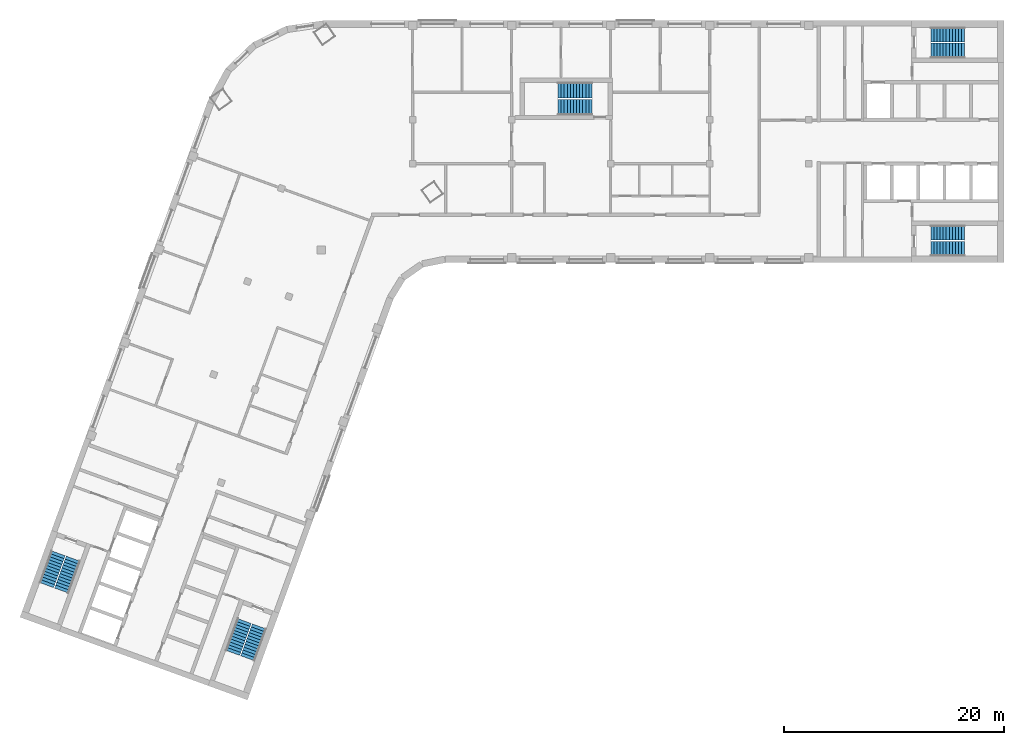
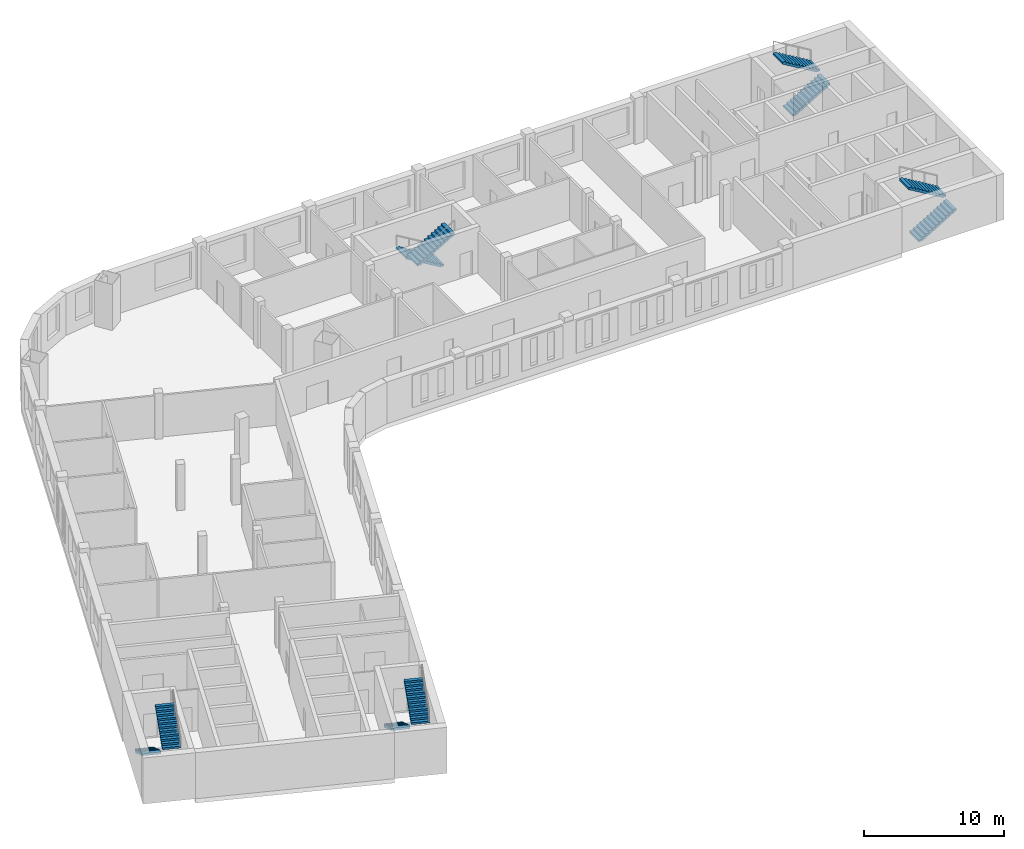
# One storey, part 7 of 8: 10 stair flights, 5 elements without a shape of their own.
"""IFC4 building model written with IfcOpenShell, lengths in metres."""

from ifc_helpers import new_model, si_unit, direction, frame, origin, place, context, subcontext, project, spatial, polyline, outline, extrude, material, type_object, element, aggregate, save


model = new_model("IFC4")

# Units and contexts
model_context = context("Model", 3, precision=1e-05, world=origin(), true_north=direction((0.0, 1.0)))
body_context = subcontext(model_context, "Body", "Model", "MODEL_VIEW")
ifc_project = project(units=[si_unit("LENGTHUNIT", "METRE"), si_unit("AREAUNIT", "SQUARE_METRE"), si_unit("VOLUMEUNIT", "CUBIC_METRE"), si_unit("PLANEANGLEUNIT", "RADIAN"), si_unit("MASSUNIT", "GRAM", prefix="KILO")], contexts=[model_context])

# Site, building, storey
site_placement = place(None, origin())
site = spatial("IfcSite", under=ifc_project, at=site_placement, CompositionType="ELEMENT")
building_placement = place(site_placement, origin())
building = spatial("IfcBuilding", under=site, at=building_placement, Name="Skarvind Civic Tower", CompositionType="ELEMENT")
storey_placement = place(building_placement, frame((0.0, 0.0, 220.0)))
storey = spatial("IfcBuildingStorey", under=building, at=storey_placement, Name="L52", CompositionType="ELEMENT", Elevation=220.0)

# Stair, stair flights
ifc_material = material(Name="Concrete C40/50", Category="concrete")
stair_type_1 = type_object("IfcStairType", Name="Exit stair 1450, half-turn, concrete", PredefinedType="HALF_TURN_STAIR", material=ifc_material)
stair_1_placement = place(storey_placement, origin())
stair_1 = element("IfcStair", 1, at=stair_1_placement, inside=storey, type_object=stair_type_1, Name="Exit stair CM", PredefinedType="HALF_TURN_STAIR")
stair_flight_type_1 = type_object("IfcStairFlightType", Name="Stair flight 1450, concrete", PredefinedType="STRAIGHT", material=ifc_material)
stair_flight_1_placement = place(storey_placement, frame((70.550048828125, 132.675048828125, 0.0), z_axis=(0.0, 0.0, 1.0), x_axis=(-1.0, 0.0, 0.0)))
stair_flight_1 = element("IfcStairFlight", 2, at=stair_flight_1_placement, type_object=stair_flight_type_1, Name="ST-CM flight 1", NumberOfRisers=12, NumberOfTreads=11, PredefinedType="STRAIGHT", RiserHeight=0.166666667, TreadLength=0.28, context=body_context, shape_type="SweptSolid", body=[
    extrude(outline(polyline([(0.0, 0.0), (0.0, 0.166748046875), (0.280029296875, 0.166748046875), (0.280029296875, 0.333251953125), (0.56005859375, 0.333251953125), (0.56005859375, 0.5), (0.840087890625, 0.5), (0.840087890625, 0.666748046875), (1.1201171875, 0.666748046875), (1.1201171875, 0.833251953125), (1.39990234375, 0.833251953125), (1.39990234375, 1.0), (1.679931640625, 1.0), (1.679931640625, 1.166748046875), (1.9599609375, 1.166748046875), (1.9599609375, 1.333251953125), (2.239990234375, 1.333251953125), (2.239990234375, 1.5), (2.52001953125, 1.5), (2.52001953125, 1.666748046875), (2.800048828125, 1.666748046875), (2.800048828125, 1.833251953125), (3.080078125, 1.833251953125), (3.080078125, 2.0), (3.080078125, 1.658935546875), (0.29296875, 0.0), (0.0, 0.0)])), frame((0.0, 0.72509765625, 0.0), z_axis=(0.0, -1.0, 0.0), x_axis=(1.0, 0.0, 0.0)), (0.0, 0.0, 1.0), 1.449951171875),
])
stair_flight_2_placement = place(storey_placement, frame((67.469970703125, 131.125, 2.0), z_axis=(0.0, 0.0, 1.0), x_axis=(1.0, 0.0, 0.0)))
stair_flight_2 = element("IfcStairFlight", 3, at=stair_flight_2_placement, type_object=stair_flight_type_1, Name="ST-CM flight 2", NumberOfRisers=12, NumberOfTreads=11, PredefinedType="STRAIGHT", RiserHeight=0.166666667, TreadLength=0.28, context=body_context, shape_type="SweptSolid", body=[
    extrude(outline(polyline([(0.0, 0.0), (0.0, 0.166748046875), (0.280029296875, 0.166748046875), (0.280029296875, 0.333251953125), (0.56005859375, 0.333251953125), (0.56005859375, 0.5), (0.840087890625, 0.5), (0.840087890625, 0.666748046875), (1.1201171875, 0.666748046875), (1.1201171875, 0.833251953125), (1.39990234375, 0.833251953125), (1.39990234375, 1.0), (1.679931640625, 1.0), (1.679931640625, 1.166748046875), (1.9599609375, 1.166748046875), (1.9599609375, 1.333251953125), (2.239990234375, 1.333251953125), (2.239990234375, 1.5), (2.52001953125, 1.5), (2.52001953125, 1.666748046875), (2.800048828125, 1.666748046875), (2.800048828125, 1.833251953125), (3.080078125, 1.833251953125), (3.080078125, 2.0), (3.080078125, 1.658935546875), (0.29296875, 0.0), (0.0, 0.0)])), frame((0.0, 0.72509765625, 0.0), z_axis=(0.0, -1.0, 0.0), x_axis=(1.0, 0.0, 0.0)), (0.0, 0.0, 1.0), 1.449951171875),
])
aggregate(stair_1, [stair_flight_1, stair_flight_2])

stair_type_2 = type_object("IfcStairType", Name="Exit stair, half-turn, concrete", PredefinedType="HALF_TURN_STAIR", material=ifc_material)
stair_2_placement = place(storey_placement, origin())
stair_2 = element("IfcStair", 4, at=stair_2_placement, inside=storey, type_object=stair_type_2, Name="Exit stair C1S", PredefinedType="HALF_TURN_STAIR")
stair_flight_type_2 = type_object("IfcStairFlightType", Name="Stair flight, concrete", PredefinedType="STRAIGHT", material=ifc_material)
stair_flight_3_placement = place(storey_placement, frame((101.35009765625, 136.27490234375, 0.0), z_axis=(0.0, 0.0, 1.0), x_axis=(1.0, 0.0, 0.0)))
stair_flight_3 = element("IfcStairFlight", 5, at=stair_flight_3_placement, type_object=stair_flight_type_2, Name="ST-C1S flight 1", NumberOfRisers=12, NumberOfTreads=11, PredefinedType="STRAIGHT", RiserHeight=0.166666667, TreadLength=0.28, context=body_context, shape_type="SweptSolid", body=[
    extrude(outline(polyline([(0.0, 0.0), (0.0, 0.166748046875), (0.280029296875, 0.166748046875), (0.280029296875, 0.333251953125), (0.56005859375, 0.333251953125), (0.56005859375, 0.5), (0.840087890625, 0.5), (0.840087890625, 0.666748046875), (1.1201171875, 0.666748046875), (1.1201171875, 0.833251953125), (1.39990234375, 0.833251953125), (1.39990234375, 1.0), (1.679931640625, 1.0), (1.679931640625, 1.166748046875), (1.9599609375, 1.166748046875), (1.9599609375, 1.333251953125), (2.239990234375, 1.333251953125), (2.239990234375, 1.5), (2.52001953125, 1.5), (2.52001953125, 1.666748046875), (2.800048828125, 1.666748046875), (2.800048828125, 1.833251953125), (3.080078125, 1.833251953125), (3.080078125, 2.0), (3.080078125, 1.658935546875), (0.29296875, 0.0), (0.0, 0.0)])), frame((0.0, 0.675048828125, 0.0), z_axis=(0.0, -1.0, 0.0), x_axis=(1.0, 0.0, 0.0)), (0.0, 0.0, 1.0), 1.35009765625),
])
stair_flight_4_placement = place(storey_placement, frame((104.429931640625, 137.72509765625, 2.0), z_axis=(0.0, 0.0, 1.0), x_axis=(-1.0, 0.0, 0.0)))
stair_flight_4 = element("IfcStairFlight", 6, at=stair_flight_4_placement, type_object=stair_flight_type_2, Name="ST-C1S flight 2", NumberOfRisers=12, NumberOfTreads=11, PredefinedType="STRAIGHT", RiserHeight=0.166666667, TreadLength=0.28, context=body_context, shape_type="SweptSolid", body=[
    extrude(outline(polyline([(0.0, 0.0), (0.0, 0.166748046875), (0.280029296875, 0.166748046875), (0.280029296875, 0.333251953125), (0.56005859375, 0.333251953125), (0.56005859375, 0.5), (0.840087890625, 0.5), (0.840087890625, 0.666748046875), (1.1201171875, 0.666748046875), (1.1201171875, 0.833251953125), (1.39990234375, 0.833251953125), (1.39990234375, 1.0), (1.679931640625, 1.0), (1.679931640625, 1.166748046875), (1.9599609375, 1.166748046875), (1.9599609375, 1.333251953125), (2.239990234375, 1.333251953125), (2.239990234375, 1.5), (2.52001953125, 1.5), (2.52001953125, 1.666748046875), (2.800048828125, 1.666748046875), (2.800048828125, 1.833251953125), (3.080078125, 1.833251953125), (3.080078125, 2.0), (3.080078125, 1.658935546875), (0.29296875, 0.0), (0.0, 0.0)])), frame((0.0, 0.675048828125, 0.0), z_axis=(0.0, -1.0, 0.0), x_axis=(1.0, 0.0, 0.0)), (0.0, 0.0, 1.0), 1.35009765625),
])
aggregate(stair_2, [stair_flight_3, stair_flight_4])

stair_3_placement = place(storey_placement, origin())
stair_3 = element("IfcStair", 7, at=stair_3_placement, inside=storey, type_object=stair_type_2, Name="Exit stair C1N", PredefinedType="HALF_TURN_STAIR")
stair_flight_5_placement = place(storey_placement, frame((101.35009765625, 118.27490234375, 0.0), z_axis=(0.0, 0.0, 1.0), x_axis=(1.0, 0.0, 0.0)))
stair_flight_5 = element("IfcStairFlight", 8, at=stair_flight_5_placement, type_object=stair_flight_type_2, Name="ST-C1N flight 1", NumberOfRisers=12, NumberOfTreads=11, PredefinedType="STRAIGHT", RiserHeight=0.166666667, TreadLength=0.28, context=body_context, shape_type="SweptSolid", body=[
    extrude(outline(polyline([(0.0, 0.0), (0.0, 0.166748046875), (0.280029296875, 0.166748046875), (0.280029296875, 0.333251953125), (0.56005859375, 0.333251953125), (0.56005859375, 0.5), (0.840087890625, 0.5), (0.840087890625, 0.666748046875), (1.1201171875, 0.666748046875), (1.1201171875, 0.833251953125), (1.39990234375, 0.833251953125), (1.39990234375, 1.0), (1.679931640625, 1.0), (1.679931640625, 1.166748046875), (1.9599609375, 1.166748046875), (1.9599609375, 1.333251953125), (2.239990234375, 1.333251953125), (2.239990234375, 1.5), (2.52001953125, 1.5), (2.52001953125, 1.666748046875), (2.800048828125, 1.666748046875), (2.800048828125, 1.833251953125), (3.080078125, 1.833251953125), (3.080078125, 2.0), (3.080078125, 1.658935546875), (0.29296875, 0.0), (0.0, 0.0)])), frame((0.0, 0.675048828125, 0.0), z_axis=(0.0, -1.0, 0.0), x_axis=(1.0, 0.0, 0.0)), (0.0, 0.0, 1.0), 1.35009765625),
])
stair_flight_6_placement = place(storey_placement, frame((104.429931640625, 119.72509765625, 2.0), z_axis=(0.0, 0.0, 1.0), x_axis=(-1.0, 0.0, 0.0)))
stair_flight_6 = element("IfcStairFlight", 9, at=stair_flight_6_placement, type_object=stair_flight_type_2, Name="ST-C1N flight 2", NumberOfRisers=12, NumberOfTreads=11, PredefinedType="STRAIGHT", RiserHeight=0.166666667, TreadLength=0.28, context=body_context, shape_type="SweptSolid", body=[
    extrude(outline(polyline([(0.0, 0.0), (0.0, 0.166748046875), (0.280029296875, 0.166748046875), (0.280029296875, 0.333251953125), (0.56005859375, 0.333251953125), (0.56005859375, 0.5), (0.840087890625, 0.5), (0.840087890625, 0.666748046875), (1.1201171875, 0.666748046875), (1.1201171875, 0.833251953125), (1.39990234375, 0.833251953125), (1.39990234375, 1.0), (1.679931640625, 1.0), (1.679931640625, 1.166748046875), (1.9599609375, 1.166748046875), (1.9599609375, 1.333251953125), (2.239990234375, 1.333251953125), (2.239990234375, 1.5), (2.52001953125, 1.5), (2.52001953125, 1.666748046875), (2.800048828125, 1.666748046875), (2.800048828125, 1.833251953125), (3.080078125, 1.833251953125), (3.080078125, 2.0), (3.080078125, 1.658935546875), (0.29296875, 0.0), (0.0, 0.0)])), frame((0.0, 0.675048828125, 0.0), z_axis=(0.0, -1.0, 0.0), x_axis=(1.0, 0.0, 0.0)), (0.0, 0.0, 1.0), 1.35009765625),
])
aggregate(stair_3, [stair_flight_5, stair_flight_6])

stair_4_placement = place(storey_placement, origin())
stair_4 = element("IfcStair", 10, at=stair_4_placement, inside=storey, type_object=stair_type_2, Name="Exit stair C2S", PredefinedType="HALF_TURN_STAIR")
stair_flight_7_placement = place(storey_placement, frame((38.949462890625, 84.43408203125, 0.0), z_axis=(0.0, 0.0, 1.0), x_axis=(-0.342020143326, -0.939692620786, 0.0)))
stair_flight_7 = element("IfcStairFlight", 11, at=stair_flight_7_placement, type_object=stair_flight_type_2, Name="ST-C2S flight 1", NumberOfRisers=12, NumberOfTreads=11, PredefinedType="STRAIGHT", RiserHeight=0.166666667, TreadLength=0.28, context=body_context, shape_type="SweptSolid", body=[
    extrude(outline(polyline([(0.0, 0.0), (0.0, 0.166748046875), (0.280029296875, 0.166748046875), (0.280029296875, 0.333251953125), (0.56005859375, 0.333251953125), (0.56005859375, 0.5), (0.840087890625, 0.5), (0.840087890625, 0.666748046875), (1.1201171875, 0.666748046875), (1.1201171875, 0.833251953125), (1.39990234375, 0.833251953125), (1.39990234375, 1.0), (1.679931640625, 1.0), (1.679931640625, 1.166748046875), (1.9599609375, 1.166748046875), (1.9599609375, 1.333251953125), (2.239990234375, 1.333251953125), (2.239990234375, 1.5), (2.52001953125, 1.5), (2.52001953125, 1.666748046875), (2.800048828125, 1.666748046875), (2.800048828125, 1.833251953125), (3.080078125, 1.833251953125), (3.080078125, 2.0), (3.080078125, 1.658935546875), (0.29296875, 0.0), (0.0, 0.0)])), frame((0.0, 0.675048828125, 0.0), z_axis=(0.0, -1.0, 0.0), x_axis=(1.0, 0.0, 0.0)), (0.0, 0.0, 1.0), 1.35009765625),
])
stair_flight_8_placement = place(storey_placement, frame((39.258544921875, 81.0439453125, 2.0), z_axis=(0.0, 0.0, 1.0), x_axis=(0.342020143326, 0.939692620786, 0.0)))
stair_flight_8 = element("IfcStairFlight", 12, at=stair_flight_8_placement, type_object=stair_flight_type_2, Name="ST-C2S flight 2", NumberOfRisers=12, NumberOfTreads=11, PredefinedType="STRAIGHT", RiserHeight=0.166666667, TreadLength=0.28, context=body_context, shape_type="SweptSolid", body=[
    extrude(outline(polyline([(0.0, 0.0), (0.0, 0.166748046875), (0.280029296875, 0.166748046875), (0.280029296875, 0.333251953125), (0.56005859375, 0.333251953125), (0.56005859375, 0.5), (0.840087890625, 0.5), (0.840087890625, 0.666748046875), (1.1201171875, 0.666748046875), (1.1201171875, 0.833251953125), (1.39990234375, 0.833251953125), (1.39990234375, 1.0), (1.679931640625, 1.0), (1.679931640625, 1.166748046875), (1.9599609375, 1.166748046875), (1.9599609375, 1.333251953125), (2.239990234375, 1.333251953125), (2.239990234375, 1.5), (2.52001953125, 1.5), (2.52001953125, 1.666748046875), (2.800048828125, 1.666748046875), (2.800048828125, 1.833251953125), (3.080078125, 1.833251953125), (3.080078125, 2.0), (3.080078125, 1.658935546875), (0.29296875, 0.0), (0.0, 0.0)])), frame((0.0, 0.675048828125, 0.0), z_axis=(0.0, -1.0, 0.0), x_axis=(1.0, 0.0, 0.0)), (0.0, 0.0, 1.0), 1.35009765625),
])
aggregate(stair_4, [stair_flight_7, stair_flight_8])

stair_5_placement = place(storey_placement, origin())
stair_5 = element("IfcStair", 13, at=stair_5_placement, inside=storey, type_object=stair_type_2, Name="Exit stair C2N", PredefinedType="HALF_TURN_STAIR")
stair_flight_9_placement = place(storey_placement, frame((22.034912109375, 90.590576171875, 0.0), z_axis=(0.0, 0.0, 1.0), x_axis=(-0.342020143326, -0.939692620786, 0.0)))
stair_flight_9 = element("IfcStairFlight", 14, at=stair_flight_9_placement, type_object=stair_flight_type_2, Name="ST-C2N flight 1", NumberOfRisers=12, NumberOfTreads=11, PredefinedType="STRAIGHT", RiserHeight=0.166666667, TreadLength=0.28, context=body_context, shape_type="SweptSolid", body=[
    extrude(outline(polyline([(0.0, 0.0), (0.0, 0.166748046875), (0.280029296875, 0.166748046875), (0.280029296875, 0.333251953125), (0.56005859375, 0.333251953125), (0.56005859375, 0.5), (0.840087890625, 0.5), (0.840087890625, 0.666748046875), (1.1201171875, 0.666748046875), (1.1201171875, 0.833251953125), (1.39990234375, 0.833251953125), (1.39990234375, 1.0), (1.679931640625, 1.0), (1.679931640625, 1.166748046875), (1.9599609375, 1.166748046875), (1.9599609375, 1.333251953125), (2.239990234375, 1.333251953125), (2.239990234375, 1.5), (2.52001953125, 1.5), (2.52001953125, 1.666748046875), (2.800048828125, 1.666748046875), (2.800048828125, 1.833251953125), (3.080078125, 1.833251953125), (3.080078125, 2.0), (3.080078125, 1.658935546875), (0.29296875, 0.0), (0.0, 0.0)])), frame((0.0, 0.675048828125, 0.0), z_axis=(0.0, -1.0, 0.0), x_axis=(1.0, 0.0, 0.0)), (0.0, 0.0, 1.0), 1.35009765625),
])
stair_flight_10_placement = place(storey_placement, frame((22.343994140625, 87.2001953125, 2.0), z_axis=(0.0, 0.0, 1.0), x_axis=(0.342020143326, 0.939692620786, 0.0)))
stair_flight_10 = element("IfcStairFlight", 15, at=stair_flight_10_placement, type_object=stair_flight_type_2, Name="ST-C2N flight 2", NumberOfRisers=12, NumberOfTreads=11, PredefinedType="STRAIGHT", RiserHeight=0.166666667, TreadLength=0.28, context=body_context, shape_type="SweptSolid", body=[
    extrude(outline(polyline([(0.0, 0.0), (0.0, 0.166748046875), (0.280029296875, 0.166748046875), (0.280029296875, 0.333251953125), (0.56005859375, 0.333251953125), (0.56005859375, 0.5), (0.840087890625, 0.5), (0.840087890625, 0.666748046875), (1.1201171875, 0.666748046875), (1.1201171875, 0.833251953125), (1.39990234375, 0.833251953125), (1.39990234375, 1.0), (1.679931640625, 1.0), (1.679931640625, 1.166748046875), (1.9599609375, 1.166748046875), (1.9599609375, 1.333251953125), (2.239990234375, 1.333251953125), (2.239990234375, 1.5), (2.52001953125, 1.5), (2.52001953125, 1.666748046875), (2.800048828125, 1.666748046875), (2.800048828125, 1.833251953125), (3.080078125, 1.833251953125), (3.080078125, 2.0), (3.080078125, 1.658935546875), (0.29296875, 0.0), (0.0, 0.0)])), frame((0.0, 0.675048828125, 0.0), z_axis=(0.0, -1.0, 0.0), x_axis=(1.0, 0.0, 0.0)), (0.0, 0.0, 1.0), 1.35009765625),
])
aggregate(stair_5, [stair_flight_9, stair_flight_10])

save(model, "model.ifc")
